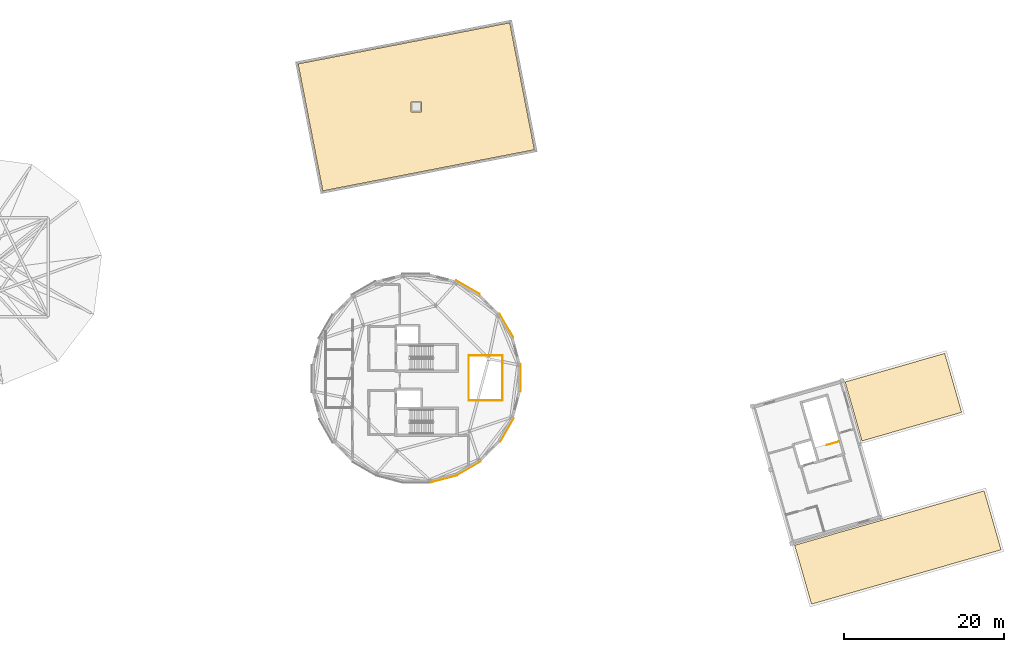
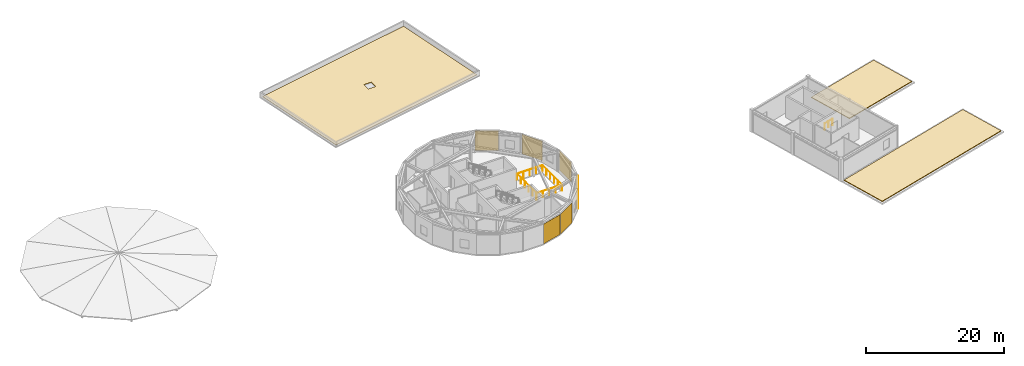
# One storey, part 11 of 11: 9 coverings, 5 railings.
"""IFC4 building model written with IfcOpenShell, lengths in metres."""

import ifcopenshell
import ifcopenshell.guid

model = None  # the IFC model being written
_history = None  # IfcOwnerHistory: only IFC2X3 demands one
_inside = {}  # id of a spatial element -> (the spatial element, [elements in it])
_under = {}  # id of a project, library or spatial element -> (it, [spatial elements below it])
_declared = {}  # id of a project -> (the project, [libraries it declares])
_typed = {}  # id of a type object -> (the type object, [elements of that type])
_made_of = {}  # id of a material, layer set ... -> (it, [elements and type objects made of it])


def new_model(schema):
    """Start an empty IFC model of exactly this schema.

    Asked for "IFC4X3", IfcOpenShell would pick the latest addendum, in which some entities
    have other attributes; the version numbers below select the first issue.
    IFC2X3 requires an IfcOwnerHistory on every rooted entity: one is made here for all.
    """
    global model, _history
    if schema == "IFC4X3":
        model = ifcopenshell.file(schema_version=(4, 3, 0, 0))
    else:
        model = ifcopenshell.file(schema=schema)
    _inside.clear()
    _under.clear()
    _declared.clear()
    _typed.clear()
    _made_of.clear()
    _history = None
    if model.schema == "IFC2X3":
        org = make("IfcOrganization", Name="unknown")
        user = make(
            "IfcPersonAndOrganization",
            ThePerson=make("IfcPerson", FamilyName="unknown"),
            TheOrganization=org,
        )
        app = make(
            "IfcApplication",
            ApplicationDeveloper=org,
            Version="unknown",
            ApplicationFullName="unknown",
            ApplicationIdentifier="unknown",
        )
        _history = make(
            "IfcOwnerHistory",
            OwningUser=user,
            OwningApplication=app,
            ChangeAction="ADDED",
            CreationDate=0,
        )
    return model


def make(cls, **values):
    """One entity of the class cls with the attributes given. An attribute that is None is left unset."""
    return model.create_entity(
        cls, **{name: value for name, value in values.items() if value is not None}
    )


def rooted(cls, **values):
    """An entity with a GlobalId (a new one), such as an element, a storey or a relation."""
    return make(cls, GlobalId=ifcopenshell.guid.new(), OwnerHistory=_history, **values)


def si_unit(unit_type, name, prefix=None):
    """IfcSIUnit, for example si_unit("LENGTHUNIT", "METRE", prefix="MILLI")."""
    return make("IfcSIUnit", UnitType=unit_type, Prefix=prefix, Name=name)


def assignment(units):
    """IfcUnitAssignment: the units of a project."""
    return None if units is None else make("IfcUnitAssignment", Units=units)


def point(xyz):
    """IfcCartesianPoint."""
    return None if xyz is None else make("IfcCartesianPoint", Coordinates=xyz)


def direction(xyz):
    """IfcDirection."""
    return None if xyz is None else make("IfcDirection", DirectionRatios=xyz)


def frame(location, z_axis=None, x_axis=None):
    """IfcAxis2Placement3D, a coordinate frame: its origin and axes. An axis left out is left unset."""
    return make(
        "IfcAxis2Placement3D",
        Location=point(location),
        Axis=direction(z_axis),
        RefDirection=direction(x_axis),
    )


def frame_2d(location, x_axis=None):
    """IfcAxis2Placement2D, a coordinate frame in the plane: its origin and x axis."""
    return make(
        "IfcAxis2Placement2D", Location=point(location), RefDirection=direction(x_axis)
    )


def origin():
    """The frame at (0, 0, 0) with its axes left unset."""
    return frame((0.0, 0.0, 0.0))


def origin_2d():
    """The frame at (0, 0) in the plane with its x axis left unset."""
    return frame_2d((0.0, 0.0))


def place(relative_to, where):
    """IfcLocalPlacement: puts the frame where relative to a parent placement (None: the world)."""
    return make(
        "IfcLocalPlacement", PlacementRelTo=relative_to, RelativePlacement=where
    )


def context(
    kind, dimensions, precision=None, world=None, true_north=None, identifier=None
):
    """IfcGeometricRepresentationContext, for example the 3D "Model" context."""
    return make(
        "IfcGeometricRepresentationContext",
        ContextIdentifier=identifier,
        ContextType=kind,
        CoordinateSpaceDimension=dimensions,
        Precision=precision,
        WorldCoordinateSystem=world,
        TrueNorth=true_north,
    )


def subcontext(parent, identifier, kind, view, scale=None):
    """IfcGeometricRepresentationSubContext, for example "Body" below "Model"."""
    return make(
        "IfcGeometricRepresentationSubContext",
        ContextIdentifier=identifier,
        ContextType=kind,
        ParentContext=parent,
        TargetScale=scale,
        TargetView=view,
    )


def project(units=None, contexts=None):
    """IfcProject with its units and contexts."""
    return rooted(
        "IfcProject",
        Name="project",
        RepresentationContexts=contexts,
        UnitsInContext=assignment(units),
    )


def spatial(cls, under=None, at=None, **own):
    """A site, building, storey or space (cls), placed at a placement, below another one or the project."""
    s = rooted(cls, ObjectPlacement=at, **own)
    if under is not None:
        _under.setdefault(under.id(), (under, []))[1].append(s)
    return s


def polyline(points):
    """IfcPolyline through the points."""
    return make("IfcPolyline", Points=[point(p) for p in points])


def profile(cls, at=None, kind="AREA", **sizes):
    """A parametric profile (cls). Its sizes go by their IFC names, for example OverallWidth=200.0."""
    return make(cls, ProfileType=kind, Position=at, **sizes)


def rectangle(**sizes):
    """IfcRectangleProfileDef."""
    return profile("IfcRectangleProfileDef", **sizes)


def circle(**sizes):
    """IfcCircleProfileDef."""
    return profile("IfcCircleProfileDef", **sizes)


def outline(outer, holes=None, kind="AREA"):
    """IfcArbitraryClosedProfileDef: a profile drawn as a closed curve; with holes, ...WithVoids."""
    if holes is None:
        return make("IfcArbitraryClosedProfileDef", ProfileType=kind, OuterCurve=outer)
    return make(
        "IfcArbitraryProfileDefWithVoids",
        ProfileType=kind,
        OuterCurve=outer,
        InnerCurves=holes,
    )


def extrude(swept, where, along, depth):
    """IfcExtrudedAreaSolid: the profile swept, set in the frame where, extruded along a direction by depth."""
    return make(
        "IfcExtrudedAreaSolid",
        SweptArea=swept,
        Position=where,
        ExtrudedDirection=direction(along),
        Depth=depth,
    )


def shape(context_of_items, identifier, shape_type, items):
    """IfcShapeRepresentation: the items that make up one representation, for example the "Body"."""
    return make(
        "IfcShapeRepresentation",
        ContextOfItems=context_of_items,
        RepresentationIdentifier=identifier,
        RepresentationType=shape_type,
        Items=items,
    )


def material(Name=None, Category=None):
    """IfcMaterial."""
    return make("IfcMaterial", Name=Name, Category=Category)


def layer(
    of_material, thickness, ventilated=None, Name=None, Category=None, Priority=None
):
    """IfcMaterialLayer: one layer of a wall or slab, of a material (None: an air gap)."""
    return make(
        "IfcMaterialLayer",
        Material=of_material,
        LayerThickness=thickness,
        IsVentilated=ventilated,
        Name=Name,
        Category=Category,
        Priority=Priority,
    )


def layer_set(layers, Name=None):
    """IfcMaterialLayerSet."""
    return make("IfcMaterialLayerSet", MaterialLayers=layers, LayerSetName=Name)


def made_of(thing, what):
    """Note that an element or type object is made of a material, layer set ...; save() writes the relation."""
    if what is not None:
        _made_of.setdefault(what.id(), (what, []))[1].append(thing)
    return thing


def type_object(cls, material=None, **own):
    """A type object (cls), such as IfcWallType, which elements share."""
    return made_of(rooted(cls, **own), material)


def element(
    cls,
    number,
    at=None,
    inside=None,
    cuts=None,
    type_object=None,
    material=None,
    context=None,
    identifier="Body",
    shape_type=None,
    held_by="IfcProductDefinitionShape",
    body=None,
    shapes=None,
    **own,
):
    """One element of the class cls, such as IfcWall. Its Tag is "e" and its number.

    at: its placement. inside: the storey or other place that contains it. cuts: it is an
    opening in that element (IfcRelVoidsElement). A single representation is given by context,
    identifier, shape_type and body (its items); several are given by shapes. held_by: the class
    of the entity that holds the representations. save() writes the other relations.
    """
    e = rooted(cls, Tag="e%d" % number, ObjectPlacement=at, **own)
    if body is not None:
        shapes = [shape(context, identifier, shape_type, body)]
    if shapes is not None:
        e.Representation = make(held_by, Representations=shapes)
    if inside is not None:
        _inside.setdefault(inside.id(), (inside, []))[1].append(e)
    if cuts is not None:
        rooted(
            "IfcRelVoidsElement", RelatingBuildingElement=cuts, RelatedOpeningElement=e
        )
    if type_object is not None:
        _typed.setdefault(type_object.id(), (type_object, []))[1].append(e)
    return made_of(e, material)


def aggregate(whole, parts):
    """IfcRelAggregates: a whole, such as a stair, and the parts it consists of."""
    return rooted("IfcRelAggregates", RelatingObject=whole, RelatedObjects=parts)


def save(model, path):
    """Write the relations noted so far, then the file.

    IfcRelAggregates (storeys below a building ...), IfcRelContainedInSpatialStructure (elements
    in a storey), IfcRelDefinesByType, IfcRelAssociatesMaterial and IfcRelDeclares: one each for
    every whole, place, type object, material and project.
    """
    for whole, parts in _under.values():
        aggregate(whole, parts)
    for where, things in _inside.values():
        rooted(
            "IfcRelContainedInSpatialStructure",
            RelatedElements=things,
            RelatingStructure=where,
        )
    for kind, things in _typed.values():
        rooted("IfcRelDefinesByType", RelatedObjects=things, RelatingType=kind)
    for what, things in _made_of.values():
        rooted("IfcRelAssociatesMaterial", RelatedObjects=things, RelatingMaterial=what)
    for by, libraries in _declared.values():
        rooted("IfcRelDeclares", RelatingContext=by, RelatedDefinitions=libraries)
    model.write(path)


model = new_model("IFC4")

# Units and contexts
model_context = context("Model", 3, precision=1e-05, world=origin(), true_north=direction((0.0, 1.0)))
body_context = subcontext(model_context, "Body", "Model", "MODEL_VIEW")
ifc_project = project(units=[si_unit("LENGTHUNIT", "METRE"), si_unit("AREAUNIT", "SQUARE_METRE"), si_unit("VOLUMEUNIT", "CUBIC_METRE"), si_unit("PLANEANGLEUNIT", "RADIAN"), si_unit("MASSUNIT", "GRAM", prefix="KILO")], contexts=[model_context])

# Site, building, storey
site_placement = place(None, origin())
site = spatial("IfcSite", under=ifc_project, at=site_placement, CompositionType="ELEMENT")
building_placement = place(site_placement, origin())
building = spatial("IfcBuilding", under=site, at=building_placement, Name="Varnklinge Art Gallery", CompositionType="ELEMENT")
storey_placement = place(building_placement, frame((0.0, 0.0, 17.639892578125)))
storey = spatial("IfcBuildingStorey", under=building, at=storey_placement, Name="L04", CompositionType="ELEMENT", Elevation=17.639892578125)

# Railings
ifc_material_1 = material(Name="Anodised Aluminium", Category="aluminium")
railing_type_1 = type_object("IfcRailingType", Name="BAL-01", PredefinedType="BALUSTRADE", material=ifc_material_1)
railing_1_placement = place(storey_placement, frame((86.320068359375, 35.679931640625, 0.0)))
element("IfcRailing", 1, at=railing_1_placement, inside=storey, type_object=railing_type_1, Name="L04 Atrium Void Balustrade 8.1", PredefinedType="BALUSTRADE", context=body_context, shape_type="SweptSolid", body=[
    extrude(circle(Radius=0.02392578125, at=origin_2d()), frame((0.0, 0.0, 1.11572265625), z_axis=(0.0, 1.0, 0.0), x_axis=(-1.0, 0.0, 0.0)), (0.0, 0.0, 1.0), 5.64013671875),
    extrude(circle(Radius=0.02099609375, at=origin_2d()), origin(), (0.0, 0.0, 1.0), 1.091796875),
    extrude(circle(Radius=0.02099609375, at=origin_2d()), frame((0.0, 1.1279296875, 0.0)), (0.0, 0.0, 1.0), 1.091796875),
    extrude(circle(Radius=0.02099609375, at=origin_2d()), frame((0.0, 2.256103515625, 0.0)), (0.0, 0.0, 1.0), 1.091796875),
    extrude(circle(Radius=0.02099609375, at=origin_2d()), frame((0.0, 3.384033203125, 0.0)), (0.0, 0.0, 1.0), 1.091796875),
    extrude(circle(Radius=0.02099609375, at=origin_2d()), frame((0.0, 4.51220703125, 0.0)), (0.0, 0.0, 1.0), 1.091796875),
    extrude(circle(Radius=0.02099609375, at=origin_2d()), frame((0.0, 5.64013671875, 0.0)), (0.0, 0.0, 1.0), 1.091796875),
])
railing_2_placement = place(storey_placement, frame((86.320068359375, 41.320068359375, 0.0)))
element("IfcRailing", 2, at=railing_2_placement, inside=storey, type_object=railing_type_1, Name="L04 Atrium Void Balustrade 8.2", PredefinedType="BALUSTRADE", context=body_context, shape_type="SweptSolid", body=[
    extrude(circle(Radius=0.02392578125, at=origin_2d()), frame((0.0, 0.0, 1.11572265625), z_axis=(-1.0, 0.0, 0.0), x_axis=(0.0, -1.0, 0.0)), (0.0, 0.0, 1.0), 4.239990234375),
    extrude(circle(Radius=0.02099609375, at=origin_2d()), origin(), (0.0, 0.0, 1.0), 1.091796875),
    extrude(circle(Radius=0.02099609375, at=origin_2d()), frame((-1.06005859375, 0.0, 0.0)), (0.0, 0.0, 1.0), 1.091796875),
    extrude(circle(Radius=0.02099609375, at=origin_2d()), frame((-2.1201171875, 0.0, 0.0)), (0.0, 0.0, 1.0), 1.091796875),
    extrude(circle(Radius=0.02099609375, at=origin_2d()), frame((-3.179931640625, 0.0, 0.0)), (0.0, 0.0, 1.0), 1.091796875),
    extrude(circle(Radius=0.02099609375, at=origin_2d()), frame((-4.239990234375, 0.0, 0.0)), (0.0, 0.0, 1.0), 1.091796875),
])
railing_3_placement = place(storey_placement, frame((82.080078125, 41.320068359375, 0.0)))
element("IfcRailing", 3, at=railing_3_placement, inside=storey, type_object=railing_type_1, Name="L04 Atrium Void Balustrade 8.3", PredefinedType="BALUSTRADE", context=body_context, shape_type="SweptSolid", body=[
    extrude(circle(Radius=0.02392578125, at=origin_2d()), frame((0.0, 0.0, 1.11572265625), z_axis=(0.0, -1.0, 0.0), x_axis=(1.0, 0.0, 0.0)), (0.0, 0.0, 1.0), 5.64013671875),
    extrude(circle(Radius=0.02099609375, at=origin_2d()), origin(), (0.0, 0.0, 1.0), 1.091796875),
    extrude(circle(Radius=0.02099609375, at=origin_2d()), frame((0.0, -1.1279296875, 0.0)), (0.0, 0.0, 1.0), 1.091796875),
    extrude(circle(Radius=0.02099609375, at=origin_2d()), frame((0.0, -2.256103515625, 0.0)), (0.0, 0.0, 1.0), 1.091796875),
    extrude(circle(Radius=0.02099609375, at=origin_2d()), frame((0.0, -3.384033203125, 0.0)), (0.0, 0.0, 1.0), 1.091796875),
    extrude(circle(Radius=0.02099609375, at=origin_2d()), frame((0.0, -4.51220703125, 0.0)), (0.0, 0.0, 1.0), 1.091796875),
    extrude(circle(Radius=0.02099609375, at=origin_2d()), frame((0.0, -5.64013671875, 0.0)), (0.0, 0.0, 1.0), 1.091796875),
])
railing_4_placement = place(storey_placement, frame((82.080078125, 35.679931640625, 0.0)))
element("IfcRailing", 4, at=railing_4_placement, inside=storey, type_object=railing_type_1, Name="L04 Atrium Void Balustrade 8.4", PredefinedType="BALUSTRADE", context=body_context, shape_type="SweptSolid", body=[
    extrude(circle(Radius=0.02392578125, at=origin_2d()), frame((0.0, 0.0, 1.11572265625), z_axis=(1.0, 0.0, 0.0), x_axis=(0.0, 1.0, 0.0)), (0.0, 0.0, 1.0), 4.239990234375),
    extrude(circle(Radius=0.02099609375, at=origin_2d()), origin(), (0.0, 0.0, 1.0), 1.091796875),
    extrude(circle(Radius=0.02099609375, at=origin_2d()), frame((1.06005859375, 0.0, 0.0)), (0.0, 0.0, 1.0), 1.091796875),
    extrude(circle(Radius=0.02099609375, at=origin_2d()), frame((2.1201171875, 0.0, 0.0)), (0.0, 0.0, 1.0), 1.091796875),
    extrude(circle(Radius=0.02099609375, at=origin_2d()), frame((3.179931640625, 0.0, 0.0)), (0.0, 0.0, 1.0), 1.091796875),
    extrude(circle(Radius=0.02099609375, at=origin_2d()), frame((4.239990234375, 0.0, 0.0)), (0.0, 0.0, 1.0), 1.091796875),
])

# Coverings
ifc_material_2 = material(Name="Pre-weathered Zinc", Category="metal")
ifc_layer_1 = layer(ifc_material_2, 0.02490234375)
ifc_layer_set_1 = layer_set([ifc_layer_1], Name="Pre-weathered Zinc")
covering_type_1 = type_object("IfcCoveringType", Name="CLD-ZNC", PredefinedType="CLADDING", material=ifc_layer_set_1)
covering_1_placement = place(storey_placement, frame((88.599609375, 38.580078125, 0.05029296875), z_axis=(0.0, 0.0, 1.0), x_axis=(0.0, -1.0, 0.0)))
element("IfcCovering", 5, at=covering_1_placement, inside=storey, type_object=covering_type_1, Name="L04 Brushed Zinc Drum Cladding EW-V4D-L04-01", PredefinedType="CLADDING", context=body_context, shape_type="SweptSolid", body=[
    extrude(rectangle(XDim=3.383544921875, YDim=0.02490234375, at=origin_2d()), origin(), (0.0, 0.0, 1.0), 3.489990234375),
])
for number, where, z_axis, x_axis, name in (
    (6, (86.884521484375, 32.01953125, 0.05029296875), (0.0, 0.0, 1.0), (-0.5, -0.866025403784, 0.0), "L04 Brushed Zinc Drum Cladding EW-V4D-L04-03"),
    (7, (82.119140625, 27.1953125, 0.05029296875), (0.0, 0.0, 1.0), (-0.866025403784, -0.5, 0.0), "L04 Brushed Zinc Drum Cladding EW-V4D-L04-05"),
    (8, (78.967529296875, 25.867431640625, 0.05029296875), (0.0, 0.0, 1.0), (-0.965925826289, -0.258819045103, 0.0), "L04 Brushed Zinc Drum Cladding EW-V4D-L04-06"),
    (9, (81.98046875, 49.884521484375, 0.05029296875), (0.0, 0.0, 1.0), (0.866025403784, -0.5, 0.0), "L04 Brushed Zinc Drum Cladding EW-V4D-L04-21"),
    (10, (86.8046875, 45.119140625, 0.05029296875), (0.0, 0.0, 1.0), (0.5, -0.866025403784, 0.0), "L04 Brushed Zinc Drum Cladding EW-V4D-L04-23"),
):
    element("IfcCovering", number, at=place(storey_placement, frame(where, z_axis=z_axis, x_axis=x_axis)), inside=storey, type_object=covering_type_1, Name=name, PredefinedType="CLADDING", context=body_context, shape_type="SweptSolid", body=[
        extrude(rectangle(XDim=3.3837890625, YDim=0.02490234375, at=origin_2d()), origin(), (0.0, 0.0, 1.0), 3.489990234375),
    ])

# Railing
ifc_material_3 = material(Name="Steel S355", Category="steel")
railing_type_2 = type_object("IfcRailingType", Name="GR-INT", PredefinedType="GUARDRAIL", material=ifc_material_3)
railing_5_placement = place(storey_placement, frame((128.476318359375, 30.56005859375, 0.0)))
element("IfcRailing", 11, at=railing_5_placement, inside=storey, type_object=railing_type_2, Name="L04 ST-05 top well guard 1", PredefinedType="GUARDRAIL", context=body_context, shape_type="SweptSolid", body=[
    extrude(circle(Radius=0.02392578125, at=origin_2d()), frame((0.0, 0.0, 1.076171875), z_axis=(-0.96128897365, -0.275542209358, 0.0), x_axis=(0.275542209358, -0.96128897365, 0.0)), (0.0, 0.0, 1.0), 1.60986328125),
    extrude(circle(Radius=0.02099609375, at=origin_2d()), origin(), (0.0, 0.0, 1.0), 1.052001953125),
    extrude(circle(Radius=0.02099609375, at=origin_2d()), frame((-0.77392578125, -0.2216796875, 0.0)), (0.0, 0.0, 1.0), 1.052001953125),
    extrude(circle(Radius=0.02099609375, at=origin_2d()), frame((-1.547607421875, -0.443603515625, 0.0)), (0.0, 0.0, 1.0), 1.052001953125),
])

# Coverings
ifc_material_4 = material(Name="EPDM & Intensive Green Roof Build-up", Category="membrane")
ifc_layer_2 = layer(ifc_material_4, 0.1201171875)
ifc_layer_set_2 = layer_set([ifc_layer_2], Name="EPDM & Intensive Green Roof Build-up")
covering_type_2 = type_object("IfcCoveringType", Name="RFG-GRN", PredefinedType="ROOFING", material=ifc_layer_set_2)
covering_2_placement = place(storey_placement, origin())
element("IfcCovering", 12, at=covering_2_placement, inside=storey, type_object=covering_type_2, Name="L04 Roof Covering 05", PredefinedType="ROOFING", context=body_context, shape_type="SweptSolid", body=[
    extrude(outline(polyline([(146.659423828125, 24.3701171875), (122.916259765625, 17.561767578125), (125.033203125, 10.17919921875), (148.7763671875, 16.987548828125), (146.659423828125, 24.3701171875)])), origin(), (0.0, 0.0, 1.0), 0.1201171875),
])
covering_3_placement = place(storey_placement, origin())
element("IfcCovering", 13, at=covering_3_placement, inside=storey, type_object=covering_type_2, Name="L04 Roof Covering 06", PredefinedType="ROOFING", context=body_context, shape_type="SweptSolid", body=[
    extrude(outline(polyline([(141.719970703125, 41.595703125), (129.242919921875, 38.01806640625), (131.35986328125, 30.635498046875), (143.8369140625, 34.21337890625), (141.719970703125, 41.595703125)])), origin(), (0.0, 0.0, 1.0), 0.1201171875),
])
ifc_material_5 = material(Name="Polymer-Modified Bitumen Roofing", Category="membrane")
ifc_layer_3 = layer(ifc_material_5, 0.06005859375)
ifc_layer_set_3 = layer_set([ifc_layer_3], Name="Polymer-Modified Bitumen Roofing")
covering_type_3 = type_object("IfcCoveringType", Name="RFG-MEM", PredefinedType="ROOFING", material=ifc_layer_set_3)
covering_4_placement = place(storey_placement, origin())
element("IfcCovering", 14, at=covering_4_placement, inside=storey, type_object=covering_type_3, Name="L04 Roof Covering 01", PredefinedType="ROOFING", context=body_context, shape_type="SweptSolid", body=[
    extrude(outline(polyline([(90.297607421875, 67.124755859375), (87.20654296875, 83.027099609375), (60.702392578125, 77.875244140625), (63.79345703125, 61.972900390625), (90.297607421875, 67.124755859375)]), holes=[polyline([(76.1298828125, 71.8701171875), (76.1298828125, 73.1298828125), (74.8701171875, 73.1298828125), (74.8701171875, 71.8701171875), (76.1298828125, 71.8701171875)])]), origin(), (0.0, 0.0, 1.0), 0.06005859375),
])

save(model, "model.ifc")
